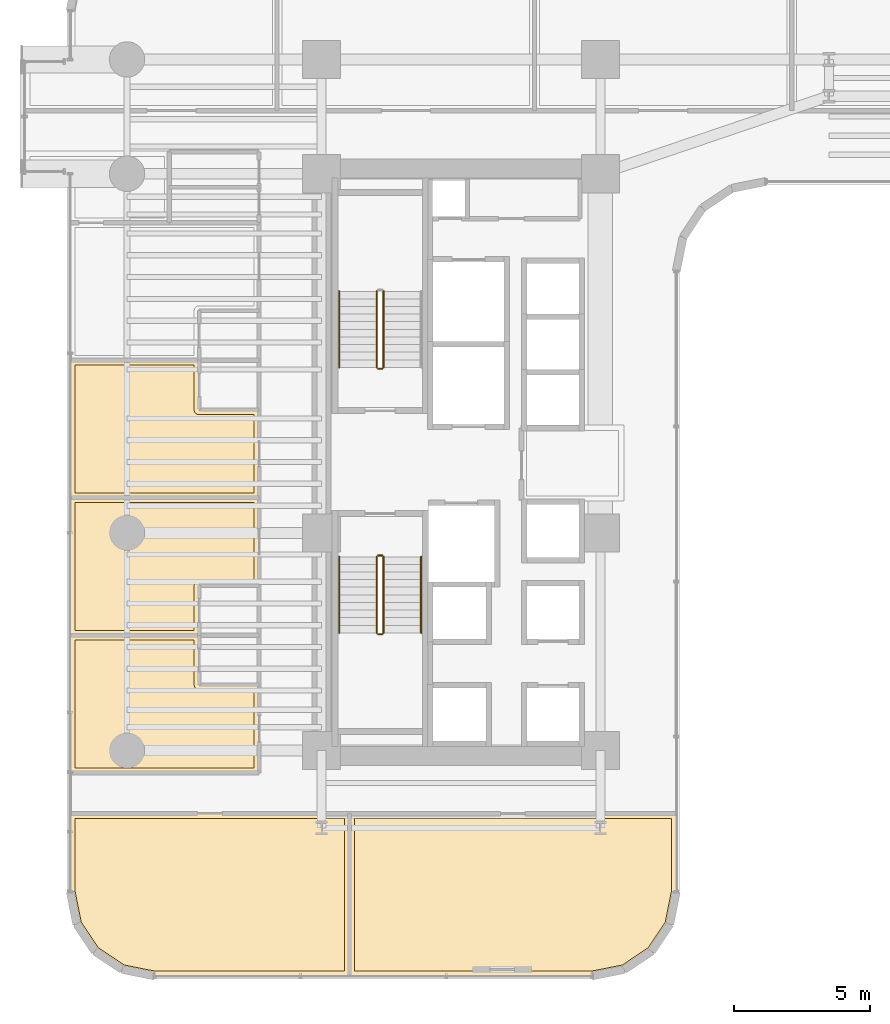
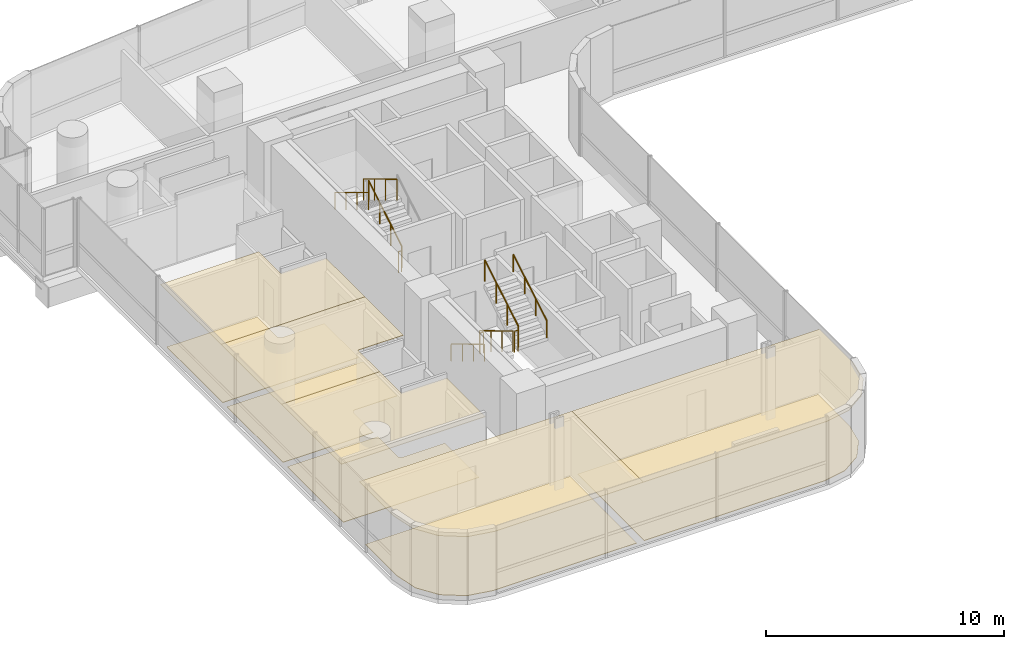
# One storey, part 37 of 40: 10 coverings, 10 railings.
"""IFC4 building model written with IfcOpenShell, lengths in metres."""

from ifc_helpers import new_model, si_unit, direction, frame, origin, origin_2d, place, context, subcontext, project, spatial, polyline, circle, outline, extrude, material, layer, layer_set, type_object, element, save


model = new_model("IFC4")

# Units and contexts
model_context = context("Model", 3, precision=1e-05, world=origin(), true_north=direction((0.0, 1.0)))
body_context = subcontext(model_context, "Body", "Model", "MODEL_VIEW")
ifc_project = project(units=[si_unit("LENGTHUNIT", "METRE"), si_unit("AREAUNIT", "SQUARE_METRE"), si_unit("VOLUMEUNIT", "CUBIC_METRE"), si_unit("PLANEANGLEUNIT", "RADIAN"), si_unit("MASSUNIT", "GRAM", prefix="KILO")], contexts=[model_context])

# Site, building, storey
site_placement = place(None, origin())
site = spatial("IfcSite", under=ifc_project, at=site_placement, CompositionType="ELEMENT")
building_placement = place(site_placement, origin())
building = spatial("IfcBuilding", under=site, at=building_placement, Name="Valdorenza Pilgrim Sanctuary Tower", CompositionType="ELEMENT")
storey_placement = place(building_placement, frame((0.0, 0.0, 81.5)))
storey = spatial("IfcBuildingStorey", under=building, at=storey_placement, Name="L20", CompositionType="ELEMENT", Elevation=81.5)

# Coverings
ifc_material_1 = material(Name="Micro-perforated acoustic mineral ceiling tile", Category="gypsum")
ifc_layer_1 = layer(ifc_material_1, 0.02490234375, Name="Micro-perforated acoustic mineral ceiling tile")
ifc_layer_set_1 = layer_set([ifc_layer_1], Name="Micro-perforated acoustic mineral ceiling tile")
covering_type_1 = type_object("IfcCoveringType", Name="COV-CLG-ACU", PredefinedType="CEILING", material=ifc_layer_set_1)
covering_1_placement = place(storey_placement, frame((0.0, 0.0, 3.159912109375)))
element("IfcCovering", 1, at=covering_1_placement, inside=storey, type_object=covering_type_1, Name="L20 Pilgrim Guest Room L20-W1 Acoustic Ceiling", PredefinedType="CEILING", context=body_context, shape_type="SweptSolid", body=[
    extrude(outline(polyline([(-31.905029296875, -6.364990234375), (-31.90478515625, -6.363525390625), (-31.90478515625, -6.362060546875), (-31.904296875, -6.360595703125), (-31.90380859375, -6.359375), (-31.9033203125, -6.35791015625), (-31.902587890625, -6.356689453125), (-31.901611328125, -6.35546875), (-31.900634765625, -6.3544921875), (-31.8994140625, -6.353515625), (-31.898193359375, -6.3525390625), (-31.897216796875, -6.351806640625), (-31.895751953125, -6.35107421875), (-31.894287109375, -6.3505859375), (-31.892822265625, -6.350341796875), (-31.8916015625, -6.35009765625), (-31.889892578125, -6.35009765625), (-27.152099609375, -6.35009765625), (-27.150390625, -6.35009765625), (-27.149169921875, -6.350341796875), (-27.147705078125, -6.3505859375), (-27.146240234375, -6.35107421875), (-27.14501953125, -6.351806640625), (-27.143798828125, -6.3525390625), (-27.142578125, -6.353515625), (-27.141357421875, -6.3544921875), (-27.140380859375, -6.35546875), (-27.139404296875, -6.356689453125), (-27.138916015625, -6.35791015625), (-27.13818359375, -6.359375), (-27.1376953125, -6.360595703125), (-27.13720703125, -6.362060546875), (-27.13720703125, -6.363525390625), (-27.136962890625, -6.364990234375), (-27.136962890625, -8.172119140625), (-24.949951171875, -8.172119140625), (-24.948486328125, -8.172119140625), (-24.947021484375, -8.17236328125), (-24.945556640625, -8.172607421875), (-24.9443359375, -8.173095703125), (-24.94287109375, -8.173828125), (-24.941650390625, -8.174560546875), (-24.9404296875, -8.17529296875), (-24.939453125, -8.176513671875), (-24.9384765625, -8.177490234375), (-24.9375, -8.1787109375), (-24.936767578125, -8.179931640625), (-24.93603515625, -8.181396484375), (-24.935546875, -8.1826171875), (-24.935302734375, -8.18408203125), (-24.93505859375, -8.185546875), (-24.93505859375, -8.18701171875), (-24.93505859375, -11.419921875), (-24.93505859375, -11.42138671875), (-24.935302734375, -11.4228515625), (-24.935546875, -11.42431640625), (-24.93603515625, -11.42578125), (-24.936767578125, -11.427001953125), (-24.9375, -11.42822265625), (-24.9384765625, -11.429443359375), (-24.939453125, -11.4306640625), (-24.9404296875, -11.431640625), (-24.941650390625, -11.4326171875), (-24.94287109375, -11.43310546875), (-24.9443359375, -11.433837890625), (-24.945556640625, -11.434326171875), (-24.947021484375, -11.434814453125), (-24.948486328125, -11.434814453125), (-24.949951171875, -11.43505859375), (-31.889892578125, -11.43505859375), (-31.8916015625, -11.434814453125), (-31.892822265625, -11.434814453125), (-31.894287109375, -11.434326171875), (-31.895751953125, -11.433837890625), (-31.897216796875, -11.43310546875), (-31.898193359375, -11.4326171875), (-31.8994140625, -11.431640625), (-31.900634765625, -11.4306640625), (-31.901611328125, -11.429443359375), (-31.902587890625, -11.42822265625), (-31.9033203125, -11.427001953125), (-31.90380859375, -11.42578125), (-31.904296875, -11.42431640625), (-31.90478515625, -11.4228515625), (-31.90478515625, -11.42138671875), (-31.905029296875, -11.419921875), (-31.905029296875, -6.364990234375)])), origin(), (0.0, 0.0, 1.0), 0.025146484375),
])
covering_2_placement = place(storey_placement, frame((0.0, 0.0, 3.159912109375)))
element("IfcCovering", 2, at=covering_2_placement, inside=storey, type_object=covering_type_1, Name="L20 Pilgrim Guest Room L20-W2 Acoustic Ceiling", PredefinedType="CEILING", context=body_context, shape_type="SweptSolid", body=[
    extrude(outline(polyline([(-27.136962890625, -4.55810546875), (-27.136962890625, -6.363037109375), (-27.13720703125, -6.364501953125), (-27.13720703125, -6.365966796875), (-27.1376953125, -6.367431640625), (-27.13818359375, -6.36865234375), (-27.138916015625, -6.3701171875), (-27.139404296875, -6.371337890625), (-27.140380859375, -6.37255859375), (-27.141357421875, -6.37353515625), (-27.142578125, -6.37451171875), (-27.143798828125, -6.37548828125), (-27.14501953125, -6.376220703125), (-27.146240234375, -6.376953125), (-27.147705078125, -6.37744140625), (-27.149169921875, -6.377685546875), (-27.150390625, -6.3779296875), (-27.152099609375, -6.3779296875), (-31.889892578125, -6.3779296875), (-31.8916015625, -6.3779296875), (-31.892822265625, -6.377685546875), (-31.894287109375, -6.37744140625), (-31.895751953125, -6.376953125), (-31.897216796875, -6.376220703125), (-31.898193359375, -6.37548828125), (-31.8994140625, -6.37451171875), (-31.900634765625, -6.37353515625), (-31.901611328125, -6.37255859375), (-31.902587890625, -6.371337890625), (-31.9033203125, -6.3701171875), (-31.90380859375, -6.36865234375), (-31.904296875, -6.367431640625), (-31.90478515625, -6.365966796875), (-31.90478515625, -6.364501953125), (-31.905029296875, -6.363037109375), (-31.905029296875, -1.31005859375), (-31.90478515625, -1.30859375), (-31.90478515625, -1.30712890625), (-31.904296875, -1.3056640625), (-31.90380859375, -1.30419921875), (-31.9033203125, -1.302978515625), (-31.902587890625, -1.3017578125), (-31.901611328125, -1.300537109375), (-31.900634765625, -1.29931640625), (-31.8994140625, -1.29833984375), (-31.898193359375, -1.297607421875), (-31.897216796875, -1.296875), (-31.895751953125, -1.296142578125), (-31.894287109375, -1.295654296875), (-31.892822265625, -1.29541015625), (-31.8916015625, -1.295166015625), (-31.889892578125, -1.294921875), (-24.949951171875, -1.294921875), (-24.948486328125, -1.295166015625), (-24.947021484375, -1.29541015625), (-24.945556640625, -1.295654296875), (-24.9443359375, -1.296142578125), (-24.94287109375, -1.296875), (-24.941650390625, -1.297607421875), (-24.9404296875, -1.29833984375), (-24.939453125, -1.29931640625), (-24.9384765625, -1.300537109375), (-24.9375, -1.3017578125), (-24.936767578125, -1.302978515625), (-24.93603515625, -1.30419921875), (-24.935546875, -1.3056640625), (-24.935302734375, -1.30712890625), (-24.93505859375, -1.30859375), (-24.93505859375, -1.31005859375), (-24.93505859375, -4.54296875), (-24.93505859375, -4.54443359375), (-24.935302734375, -4.5458984375), (-24.935546875, -4.54736328125), (-24.93603515625, -4.548583984375), (-24.936767578125, -4.550048828125), (-24.9375, -4.55126953125), (-24.9384765625, -4.552490234375), (-24.939453125, -4.5537109375), (-24.9404296875, -4.5546875), (-24.941650390625, -4.555419921875), (-24.94287109375, -4.55615234375), (-24.9443359375, -4.556884765625), (-24.945556640625, -4.557373046875), (-24.947021484375, -4.5576171875), (-24.948486328125, -4.557861328125), (-24.949951171875, -4.55810546875), (-27.136962890625, -4.55810546875)])), origin(), (0.0, 0.0, 1.0), 0.025146484375),
])
covering_3_placement = place(storey_placement, frame((0.0, 0.0, 3.159912109375)))
element("IfcCovering", 3, at=covering_3_placement, inside=storey, type_object=covering_type_1, Name="L20 Pilgrim Guest Room L20-W3 Acoustic Ceiling", PredefinedType="CEILING", context=body_context, shape_type="SweptSolid", body=[
    extrude(outline(polyline([(-31.905029296875, 3.7451171875), (-31.90478515625, 3.74658203125), (-31.90478515625, 3.747802734375), (-31.904296875, 3.74951171875), (-31.90380859375, 3.750732421875), (-31.9033203125, 3.752197265625), (-31.902587890625, 3.75341796875), (-31.901611328125, 3.75439453125), (-31.900634765625, 3.755615234375), (-31.8994140625, 3.756591796875), (-31.898193359375, 3.757568359375), (-31.897216796875, 3.75830078125), (-31.895751953125, 3.7587890625), (-31.894287109375, 3.759521484375), (-31.892822265625, 3.759765625), (-31.8916015625, 3.760009765625), (-31.889892578125, 3.760009765625), (-27.152099609375, 3.760009765625), (-27.150390625, 3.760009765625), (-27.149169921875, 3.759765625), (-27.147705078125, 3.759521484375), (-27.146240234375, 3.7587890625), (-27.14501953125, 3.75830078125), (-27.143798828125, 3.757568359375), (-27.142578125, 3.756591796875), (-27.141357421875, 3.755615234375), (-27.140380859375, 3.75439453125), (-27.139404296875, 3.75341796875), (-27.138916015625, 3.752197265625), (-27.13818359375, 3.750732421875), (-27.1376953125, 3.74951171875), (-27.13720703125, 3.747802734375), (-27.13720703125, 3.74658203125), (-27.136962890625, 3.7451171875), (-27.136962890625, 1.93798828125), (-24.949951171875, 1.93798828125), (-24.948486328125, 1.93798828125), (-24.947021484375, 1.937744140625), (-24.945556640625, 1.9375), (-24.9443359375, 1.93701171875), (-24.94287109375, 1.936279296875), (-24.941650390625, 1.935546875), (-24.9404296875, 1.9345703125), (-24.939453125, 1.93359375), (-24.9384765625, 1.9326171875), (-24.9375, 1.931396484375), (-24.936767578125, 1.93017578125), (-24.93603515625, 1.9287109375), (-24.935546875, 1.927490234375), (-24.935302734375, 1.92578125), (-24.93505859375, 1.924560546875), (-24.93505859375, 1.923095703125), (-24.93505859375, -1.30810546875), (-24.93505859375, -1.3095703125), (-24.935302734375, -1.310791015625), (-24.935546875, -1.3125), (-24.93603515625, -1.313720703125), (-24.936767578125, -1.315185546875), (-24.9375, -1.31640625), (-24.9384765625, -1.3173828125), (-24.939453125, -1.318603515625), (-24.9404296875, -1.319580078125), (-24.941650390625, -1.320556640625), (-24.94287109375, -1.3212890625), (-24.9443359375, -1.322021484375), (-24.945556640625, -1.322509765625), (-24.947021484375, -1.32275390625), (-24.948486328125, -1.322998046875), (-24.949951171875, -1.322998046875), (-31.889892578125, -1.322998046875), (-31.8916015625, -1.322998046875), (-31.892822265625, -1.32275390625), (-31.894287109375, -1.322509765625), (-31.895751953125, -1.322021484375), (-31.897216796875, -1.3212890625), (-31.898193359375, -1.320556640625), (-31.8994140625, -1.319580078125), (-31.900634765625, -1.318603515625), (-31.901611328125, -1.3173828125), (-31.902587890625, -1.31640625), (-31.9033203125, -1.315185546875), (-31.90380859375, -1.313720703125), (-31.904296875, -1.3125), (-31.90478515625, -1.310791015625), (-31.90478515625, -1.3095703125), (-31.905029296875, -1.30810546875), (-31.905029296875, 3.7451171875)])), origin(), (0.0, 0.0, 1.0), 0.025146484375),
])
covering_4_placement = place(storey_placement, frame((0.0, 0.0, 3.159912109375)))
element("IfcCovering", 4, at=covering_4_placement, inside=storey, type_object=covering_type_1, Name="L20 Retreat Discussion Room L20-S1 Acoustic Ceiling", PredefinedType="CEILING", context=body_context, shape_type="SweptSolid", body=[
    extrude(outline(polyline([(-21.60498046875, -18.889892578125), (-21.60498046875, -18.8916015625), (-21.605224609375, -18.892822265625), (-21.605712890625, -18.894287109375), (-21.606201171875, -18.895751953125), (-21.606689453125, -18.897216796875), (-21.607421875, -18.898193359375), (-21.6083984375, -18.8994140625), (-21.609375, -18.900634765625), (-21.610595703125, -18.901611328125), (-21.61181640625, -18.902587890625), (-21.61279296875, -18.9033203125), (-21.6142578125, -18.90380859375), (-21.615478515625, -18.904296875), (-21.6171875, -18.90478515625), (-21.618408203125, -18.90478515625), (-21.6201171875, -18.905029296875), (-28.789306640625, -18.905029296875), (-28.79052734375, -18.90478515625), (-28.7919921875, -18.90478515625), (-29.984619140625, -18.66748046875), (-29.986083984375, -18.6669921875), (-29.9873046875, -18.66650390625), (-29.98876953125, -18.666015625), (-29.989990234375, -18.665283203125), (-30.99169921875, -17.995849609375), (-30.992919921875, -17.9951171875), (-30.993896484375, -17.993896484375), (-30.9951171875, -17.992919921875), (-30.995849609375, -17.99169921875), (-31.665283203125, -16.989990234375), (-31.666015625, -16.98876953125), (-31.66650390625, -16.9873046875), (-31.6669921875, -16.986083984375), (-31.66748046875, -16.984619140625), (-31.90478515625, -15.7919921875), (-31.90478515625, -15.79052734375), (-31.905029296875, -15.789306640625), (-31.905029296875, -12.919921875), (-31.90478515625, -12.91845703125), (-31.90478515625, -12.9169921875), (-31.904296875, -12.91552734375), (-31.90380859375, -12.914306640625), (-31.9033203125, -12.912841796875), (-31.902587890625, -12.91162109375), (-31.901611328125, -12.910400390625), (-31.900634765625, -12.909423828125), (-31.8994140625, -12.908447265625), (-31.898193359375, -12.907470703125), (-31.897216796875, -12.90673828125), (-31.895751953125, -12.906005859375), (-31.894287109375, -12.905517578125), (-31.892822265625, -12.9052734375), (-31.8916015625, -12.905029296875), (-31.889892578125, -12.905029296875), (-21.6201171875, -12.905029296875), (-21.618408203125, -12.905029296875), (-21.6171875, -12.9052734375), (-21.615478515625, -12.905517578125), (-21.6142578125, -12.906005859375), (-21.61279296875, -12.90673828125), (-21.61181640625, -12.907470703125), (-21.610595703125, -12.908447265625), (-21.609375, -12.909423828125), (-21.6083984375, -12.910400390625), (-21.607421875, -12.91162109375), (-21.606689453125, -12.912841796875), (-21.606201171875, -12.914306640625), (-21.605712890625, -12.91552734375), (-21.605224609375, -12.9169921875), (-21.60498046875, -12.91845703125), (-21.60498046875, -12.919921875), (-21.60498046875, -18.889892578125)])), origin(), (0.0, 0.0, 1.0), 0.025146484375),
])
covering_5_placement = place(storey_placement, frame((0.0, 0.0, 3.159912109375)))
element("IfcCovering", 5, at=covering_5_placement, inside=storey, type_object=covering_type_1, Name="L20 Retreat Discussion Room L20-S2 Acoustic Ceiling", PredefinedType="CEILING", context=body_context, shape_type="SweptSolid", body=[
    extrude(outline(polyline([(-9.610107421875, -12.905029296875), (-9.6083984375, -12.905029296875), (-9.607177734375, -12.9052734375), (-9.605712890625, -12.905517578125), (-9.604248046875, -12.906005859375), (-9.602783203125, -12.90673828125), (-9.601806640625, -12.907470703125), (-9.6005859375, -12.908447265625), (-9.599365234375, -12.909423828125), (-9.598388671875, -12.910400390625), (-9.597412109375, -12.91162109375), (-9.5966796875, -12.912841796875), (-9.59619140625, -12.914306640625), (-9.595703125, -12.91552734375), (-9.59521484375, -12.9169921875), (-9.59521484375, -12.91845703125), (-9.594970703125, -12.919921875), (-9.594970703125, -15.789306640625), (-9.59521484375, -15.79052734375), (-9.59521484375, -15.7919921875), (-9.83251953125, -16.984619140625), (-9.8330078125, -16.986083984375), (-9.83349609375, -16.9873046875), (-9.833984375, -16.98876953125), (-9.834716796875, -16.989990234375), (-10.504150390625, -17.99169921875), (-10.5048828125, -17.992919921875), (-10.506103515625, -17.993896484375), (-10.507080078125, -17.9951171875), (-10.50830078125, -17.995849609375), (-11.510009765625, -18.665283203125), (-11.51123046875, -18.666015625), (-11.5126953125, -18.66650390625), (-11.513916015625, -18.6669921875), (-11.515380859375, -18.66748046875), (-12.7080078125, -18.90478515625), (-12.70947265625, -18.90478515625), (-12.710693359375, -18.905029296875), (-21.617919921875, -18.905029296875), (-21.619384765625, -18.90478515625), (-21.620849609375, -18.90478515625), (-21.622314453125, -18.904296875), (-21.623779296875, -18.90380859375), (-21.625, -18.9033203125), (-21.626220703125, -18.902587890625), (-21.62744140625, -18.901611328125), (-21.628662109375, -18.900634765625), (-21.629638671875, -18.8994140625), (-21.630615234375, -18.898193359375), (-21.631103515625, -18.897216796875), (-21.6318359375, -18.895751953125), (-21.63232421875, -18.894287109375), (-21.6328125, -18.892822265625), (-21.6328125, -18.8916015625), (-21.633056640625, -18.889892578125), (-21.633056640625, -12.919921875), (-21.6328125, -12.91845703125), (-21.6328125, -12.9169921875), (-21.63232421875, -12.91552734375), (-21.6318359375, -12.914306640625), (-21.631103515625, -12.912841796875), (-21.630615234375, -12.91162109375), (-21.629638671875, -12.910400390625), (-21.628662109375, -12.909423828125), (-21.62744140625, -12.908447265625), (-21.626220703125, -12.907470703125), (-21.625, -12.90673828125), (-21.623779296875, -12.906005859375), (-21.622314453125, -12.905517578125), (-21.620849609375, -12.9052734375), (-21.619384765625, -12.905029296875), (-21.617919921875, -12.905029296875), (-9.610107421875, -12.905029296875)])), origin(), (0.0, 0.0, 1.0), 0.025146484375),
])
ifc_material_2 = material(Name="Engineered European oak timber flooring", Category="wood")
ifc_layer_2 = layer(ifc_material_2, 0.02197265625, Name="Engineered European oak timber flooring")
ifc_layer_set_2 = layer_set([ifc_layer_2], Name="Engineered European oak timber flooring")
covering_type_2 = type_object("IfcCoveringType", Name="COV-FLR-OAK", PredefinedType="FLOORING", material=ifc_layer_set_2)
covering_6_placement = place(storey_placement, origin())
element("IfcCovering", 6, at=covering_6_placement, inside=storey, type_object=covering_type_2, Name="L20 Pilgrim Guest Room L20-W1 Flooring", PredefinedType="FLOORING", context=body_context, shape_type="SweptSolid", body=[
    extrude(outline(polyline([(-31.7099609375, -6.544921875), (-27.33203125, -6.544921875), (-27.33203125, -8.18505859375), (-27.331787109375, -8.19384765625), (-27.331787109375, -8.194091796875), (-27.330078125, -8.211669921875), (-27.330078125, -8.2119140625), (-27.32666015625, -8.22900390625), (-27.326416015625, -8.229248046875), (-27.3212890625, -8.24609375), (-27.3212890625, -8.246337890625), (-27.314697265625, -8.2626953125), (-27.314453125, -8.262939453125), (-27.30615234375, -8.278564453125), (-27.30615234375, -8.278564453125), (-27.296142578125, -8.293212890625), (-27.296142578125, -8.29345703125), (-27.284912109375, -8.30712890625), (-27.284912109375, -8.307373046875), (-27.272216796875, -8.31982421875), (-27.272216796875, -8.31982421875), (-27.258544921875, -8.3310546875), (-27.25830078125, -8.331298828125), (-27.24365234375, -8.341064453125), (-27.243408203125, -8.34130859375), (-27.227783203125, -8.349609375), (-27.227783203125, -8.349609375), (-27.21142578125, -8.356201171875), (-27.211181640625, -8.3564453125), (-27.1943359375, -8.361572265625), (-27.194091796875, -8.361572265625), (-27.1767578125, -8.364990234375), (-27.176513671875, -8.364990234375), (-27.158935546875, -8.36669921875), (-27.15869140625, -8.36669921875), (-27.14990234375, -8.366943359375), (-25.1298828125, -8.366943359375), (-25.1298828125, -11.239990234375), (-31.7099609375, -11.239990234375), (-31.7099609375, -6.544921875)])), origin(), (0.0, 0.0, 1.0), 0.02490234375),
])
covering_7_placement = place(storey_placement, origin())
element("IfcCovering", 7, at=covering_7_placement, inside=storey, type_object=covering_type_2, Name="L20 Pilgrim Guest Room L20-W2 Flooring", PredefinedType="FLOORING", context=body_context, shape_type="SweptSolid", body=[
    extrude(outline(polyline([(-25.1298828125, -1.489990234375), (-25.1298828125, -4.363037109375), (-27.14990234375, -4.363037109375), (-27.15869140625, -4.36328125), (-27.158935546875, -4.36328125), (-27.176513671875, -4.364990234375), (-27.1767578125, -4.364990234375), (-27.194091796875, -4.368408203125), (-27.1943359375, -4.368408203125), (-27.211181640625, -4.37353515625), (-27.21142578125, -4.373779296875), (-27.227783203125, -4.38037109375), (-27.227783203125, -4.380615234375), (-27.243408203125, -4.388916015625), (-27.24365234375, -4.388916015625), (-27.25830078125, -4.398681640625), (-27.258544921875, -4.39892578125), (-27.272216796875, -4.41015625), (-27.272216796875, -4.41015625), (-27.284912109375, -4.422607421875), (-27.284912109375, -4.4228515625), (-27.296142578125, -4.4365234375), (-27.296142578125, -4.436767578125), (-27.30615234375, -4.451416015625), (-27.30615234375, -4.451416015625), (-27.314453125, -4.467041015625), (-27.314697265625, -4.46728515625), (-27.3212890625, -4.483642578125), (-27.3212890625, -4.48388671875), (-27.326416015625, -4.500732421875), (-27.32666015625, -4.5009765625), (-27.330078125, -4.518310546875), (-27.330078125, -4.518310546875), (-27.331787109375, -4.535888671875), (-27.331787109375, -4.5361328125), (-27.33203125, -4.544921875), (-27.33203125, -6.18310546875), (-31.7099609375, -6.18310546875), (-31.7099609375, -1.489990234375), (-25.1298828125, -1.489990234375)])), origin(), (0.0, 0.0, 1.0), 0.02490234375),
])
covering_8_placement = place(storey_placement, origin())
element("IfcCovering", 8, at=covering_8_placement, inside=storey, type_object=covering_type_2, Name="L20 Pilgrim Guest Room L20-W3 Flooring", PredefinedType="FLOORING", context=body_context, shape_type="SweptSolid", body=[
    extrude(outline(polyline([(-31.7099609375, 3.56494140625), (-27.33203125, 3.56494140625), (-27.33203125, 1.925048828125), (-27.331787109375, 1.916259765625), (-27.331787109375, 1.916015625), (-27.330078125, 1.8984375), (-27.330078125, 1.898193359375), (-27.32666015625, 1.880859375), (-27.326416015625, 1.880615234375), (-27.3212890625, 1.86376953125), (-27.3212890625, 1.863525390625), (-27.314697265625, 1.847412109375), (-27.314453125, 1.84716796875), (-27.30615234375, 1.83154296875), (-27.30615234375, 1.831298828125), (-27.296142578125, 1.816650390625), (-27.296142578125, 1.81640625), (-27.284912109375, 1.802978515625), (-27.284912109375, 1.802734375), (-27.272216796875, 1.790283203125), (-27.272216796875, 1.7900390625), (-27.258544921875, 1.77880859375), (-27.25830078125, 1.77880859375), (-27.24365234375, 1.768798828125), (-27.243408203125, 1.768798828125), (-27.227783203125, 1.760498046875), (-27.227783203125, 1.760498046875), (-27.21142578125, 1.753662109375), (-27.211181640625, 1.753662109375), (-27.1943359375, 1.74853515625), (-27.194091796875, 1.748291015625), (-27.1767578125, 1.7451171875), (-27.176513671875, 1.7451171875), (-27.158935546875, 1.7431640625), (-27.15869140625, 1.7431640625), (-27.14990234375, 1.742919921875), (-25.1298828125, 1.742919921875), (-25.1298828125, -1.1279296875), (-31.7099609375, -1.1279296875), (-31.7099609375, 3.56494140625)])), origin(), (0.0, 0.0, 1.0), 0.02490234375),
])
covering_9_placement = place(storey_placement, origin())
element("IfcCovering", 9, at=covering_9_placement, inside=storey, type_object=covering_type_2, Name="L20 Retreat Discussion Room L20-S1 Flooring", PredefinedType="FLOORING", context=body_context, shape_type="SweptSolid", body=[
    extrude(outline(polyline([(-21.800048828125, -18.7099609375), (-28.771484375, -18.7099609375), (-29.911376953125, -18.483154296875), (-30.853515625, -17.853515625), (-31.483154296875, -16.911376953125), (-31.7099609375, -15.771484375), (-31.7099609375, -13.10009765625), (-21.800048828125, -13.10009765625), (-21.800048828125, -18.7099609375)])), origin(), (0.0, 0.0, 1.0), 0.02490234375),
])
covering_10_placement = place(storey_placement, origin())
element("IfcCovering", 10, at=covering_10_placement, inside=storey, type_object=covering_type_2, Name="L20 Retreat Discussion Room L20-S2 Flooring", PredefinedType="FLOORING", context=body_context, shape_type="SweptSolid", body=[
    extrude(outline(polyline([(-9.7900390625, -13.10009765625), (-9.7900390625, -15.771484375), (-10.016845703125, -16.911376953125), (-10.646484375, -17.853515625), (-11.588623046875, -18.483154296875), (-12.728515625, -18.7099609375), (-21.43798828125, -18.7099609375), (-21.43798828125, -13.10009765625), (-9.7900390625, -13.10009765625)])), origin(), (0.0, 0.0, 1.0), 0.02490234375),
])

# Railings
ifc_material_3 = material(Name="Stainless steel Grade 316", Category="steel")
railing_type_1 = type_object("IfcRailingType", Name="RLG-GRD-1120", PredefinedType="GUARDRAIL", material=ifc_material_3)
railing_1_placement = place(storey_placement, frame((-20.3701171875, 3.47998046875, 0.168212890625)))
element("IfcRailing", 11, at=railing_1_placement, inside=storey, type_object=railing_type_1, Name="L20 ST-A1 stair guard 1", PredefinedType="GUARDRAIL", context=body_context, shape_type="SweptSolid", body=[
    extrude(circle(Radius=0.02392578125, at=origin_2d()), frame((0.0, 0.0, 1.076171875), z_axis=(0.0, 0.857242210791, 0.514913383045), x_axis=(-1.0, 0.0, 0.0)), (0.0, 0.0, 1.0), 3.266357421875),
    extrude(circle(Radius=0.02099609375, at=origin_2d()), origin(), (0.0, 0.0, 1.0), 1.052001953125),
    extrude(circle(Radius=0.02099609375, at=origin_2d()), frame((0.0, 0.933349609375, 0.560546875)), (0.0, 0.0, 1.0), 1.052001953125),
    extrude(circle(Radius=0.02099609375, at=origin_2d()), frame((0.0, 1.86669921875, 1.121337890625)), (0.0, 0.0, 1.0), 1.052001953125),
    extrude(circle(Radius=0.02099609375, at=origin_2d()), frame((0.0, 2.800048828125, 1.681884765625)), (0.0, 0.0, 1.0), 1.052001953125),
])
railing_2_placement = place(storey_placement, frame((-20.6201171875, 6.280029296875, 2.01806640625)))
element("IfcRailing", 12, at=railing_2_placement, inside=storey, type_object=railing_type_1, Name="L20 ST-A1 stair guard 3", PredefinedType="GUARDRAIL", context=body_context, shape_type="SweptSolid", body=[
    extrude(circle(Radius=0.02392578125, at=origin_2d()), frame((0.0, 0.0, 1.076171875), z_axis=(0.0, -0.857242210791, 0.514913383045), x_axis=(1.0, 0.0, 0.0)), (0.0, 0.0, 1.0), 3.266357421875),
    extrude(circle(Radius=0.02099609375, at=origin_2d()), origin(), (0.0, 0.0, 1.0), 1.052001953125),
    extrude(circle(Radius=0.02099609375, at=origin_2d()), frame((0.0, -0.933349609375, 0.560546875)), (0.0, 0.0, 1.0), 1.052001953125),
    extrude(circle(Radius=0.02099609375, at=origin_2d()), frame((0.0, -1.86669921875, 1.121337890625)), (0.0, 0.0, 1.0), 1.052001953125),
    extrude(circle(Radius=0.02099609375, at=origin_2d()), frame((0.0, -2.800048828125, 1.681884765625)), (0.0, 0.0, 1.0), 1.052001953125),
])
railing_3_placement = place(storey_placement, frame((-20.419921875, 3.429931640625, 0.0)))
element("IfcRailing", 13, at=railing_3_placement, inside=storey, type_object=railing_type_1, Name="L20 ST-A1 stair guard 4", PredefinedType="GUARDRAIL", context=body_context, shape_type="SweptSolid", body=[
    extrude(circle(Radius=0.02392578125, at=origin_2d()), frame((0.0, 0.0, 1.076171875), z_axis=(-1.0, 0.0, 0.0), x_axis=(0.0, -1.0, 0.0)), (0.0, 0.0, 1.0), 0.150146484375),
    extrude(circle(Radius=0.02099609375, at=origin_2d()), origin(), (0.0, 0.0, 1.0), 1.052001953125),
    extrude(circle(Radius=0.02099609375, at=origin_2d()), frame((-0.150146484375, 0.0, 0.0)), (0.0, 0.0, 1.0), 1.052001953125),
])
railing_4_placement = place(storey_placement, frame((-20.6201171875, -3.47998046875, 0.168212890625)))
element("IfcRailing", 14, at=railing_4_placement, inside=storey, type_object=railing_type_1, Name="L20 ST-A2 stair guard 1", PredefinedType="GUARDRAIL", context=body_context, shape_type="SweptSolid", body=[
    extrude(circle(Radius=0.02392578125, at=origin_2d()), frame((0.0, 0.0, 1.076171875), z_axis=(0.0, -0.857242210791, 0.514913383045), x_axis=(1.0, 0.0, 0.0)), (0.0, 0.0, 1.0), 3.266357421875),
    extrude(circle(Radius=0.02099609375, at=origin_2d()), origin(), (0.0, 0.0, 1.0), 1.052001953125),
    extrude(circle(Radius=0.02099609375, at=origin_2d()), frame((0.0, -0.933349609375, 0.560546875)), (0.0, 0.0, 1.0), 1.052001953125),
    extrude(circle(Radius=0.02099609375, at=origin_2d()), frame((0.0, -1.86669921875, 1.121337890625)), (0.0, 0.0, 1.0), 1.052001953125),
    extrude(circle(Radius=0.02099609375, at=origin_2d()), frame((0.0, -2.800048828125, 1.681884765625)), (0.0, 0.0, 1.0), 1.052001953125),
])
railing_5_placement = place(storey_placement, frame((-20.570068359375, -6.330078125, 1.85009765625)))
element("IfcRailing", 15, at=railing_5_placement, inside=storey, type_object=railing_type_1, Name="L20 ST-A2 stair guard 2", PredefinedType="GUARDRAIL", context=body_context, shape_type="SweptSolid", body=[
    extrude(circle(Radius=0.02392578125, at=origin_2d()), frame((0.0, 0.0, 1.076171875), z_axis=(1.0, 0.0, 0.0), x_axis=(0.0, 1.0, 0.0)), (0.0, 0.0, 1.0), 0.150146484375),
    extrude(circle(Radius=0.02099609375, at=origin_2d()), origin(), (0.0, 0.0, 1.0), 1.052001953125),
    extrude(circle(Radius=0.02099609375, at=origin_2d()), frame((0.150146484375, 0.0, 0.0)), (0.0, 0.0, 1.0), 1.052001953125),
])
railing_6_placement = place(storey_placement, frame((-20.3701171875, -6.280029296875, 2.01806640625)))
element("IfcRailing", 16, at=railing_6_placement, inside=storey, type_object=railing_type_1, Name="L20 ST-A2 stair guard 3", PredefinedType="GUARDRAIL", context=body_context, shape_type="SweptSolid", body=[
    extrude(circle(Radius=0.02392578125, at=origin_2d()), frame((0.0, 0.0, 1.076171875), z_axis=(0.0, 0.857242210791, 0.514913383045), x_axis=(-1.0, 0.0, 0.0)), (0.0, 0.0, 1.0), 3.266357421875),
    extrude(circle(Radius=0.02099609375, at=origin_2d()), origin(), (0.0, 0.0, 1.0), 1.052001953125),
    extrude(circle(Radius=0.02099609375, at=origin_2d()), frame((0.0, 0.933349609375, 0.560546875)), (0.0, 0.0, 1.0), 1.052001953125),
    extrude(circle(Radius=0.02099609375, at=origin_2d()), frame((0.0, 1.86669921875, 1.121337890625)), (0.0, 0.0, 1.0), 1.052001953125),
    extrude(circle(Radius=0.02099609375, at=origin_2d()), frame((0.0, 2.800048828125, 1.681884765625)), (0.0, 0.0, 1.0), 1.052001953125),
])
railing_7_placement = place(storey_placement, frame((-20.570068359375, -3.429931640625, 0.0)))
element("IfcRailing", 17, at=railing_7_placement, inside=storey, type_object=railing_type_1, Name="L20 ST-A2 stair guard 4", PredefinedType="GUARDRAIL", context=body_context, shape_type="SweptSolid", body=[
    extrude(circle(Radius=0.02392578125, at=origin_2d()), frame((0.0, 0.0, 1.076171875), z_axis=(1.0, 0.0, 0.0), x_axis=(0.0, 1.0, 0.0)), (0.0, 0.0, 1.0), 0.150146484375),
    extrude(circle(Radius=0.02099609375, at=origin_2d()), origin(), (0.0, 0.0, 1.0), 1.052001953125),
    extrude(circle(Radius=0.02099609375, at=origin_2d()), frame((0.150146484375, 0.0, 0.0)), (0.0, 0.0, 1.0), 1.052001953125),
])
ifc_material_4 = material(Name="Brushed stainless steel Grade 316", Category="steel")
railing_type_2 = type_object("IfcRailingType", Name="RLG-HND-920", PredefinedType="HANDRAIL", material=ifc_material_4)
for number, where, name in (
    (18, (-22.0, 6.280029296875, 2.01806640625), "L20 ST-A1 stair handrail 2"),
    (19, (-22.0, -3.47998046875, 0.168212890625), "L20 ST-A2 stair handrail 1"),
):
    element("IfcRailing", number, at=place(storey_placement, frame(where)), inside=storey, type_object=railing_type_2, Name=name, PredefinedType="HANDRAIL", context=body_context, shape_type="SweptSolid", body=[
        extrude(circle(Radius=0.02392578125, at=origin_2d()), frame((0.0, 0.0, 0.8759765625), z_axis=(0.0, -0.857242210791, 0.514913383045), x_axis=(1.0, 0.0, 0.0)), (0.0, 0.0, 1.0), 3.266357421875),
        extrude(circle(Radius=0.02099609375, at=origin_2d()), origin(), (0.0, 0.0, 1.0), 0.851806640625),
        extrude(circle(Radius=0.02099609375, at=origin_2d()), frame((0.0, -0.933349609375, 0.560546875)), (0.0, 0.0, 1.0), 0.851806640625),
        extrude(circle(Radius=0.02099609375, at=origin_2d()), frame((0.0, -1.86669921875, 1.121337890625)), (0.0, 0.0, 1.0), 0.851806640625),
        extrude(circle(Radius=0.02099609375, at=origin_2d()), frame((0.0, -2.800048828125, 1.681884765625)), (0.0, 0.0, 1.0), 0.851806640625),
    ])
railing_8_placement = place(storey_placement, frame((-18.989990234375, -6.280029296875, 2.01806640625)))
element("IfcRailing", 20, at=railing_8_placement, inside=storey, type_object=railing_type_2, Name="L20 ST-A2 stair handrail 2", PredefinedType="HANDRAIL", context=body_context, shape_type="SweptSolid", body=[
    extrude(circle(Radius=0.02392578125, at=origin_2d()), frame((0.0, 0.0, 0.8759765625), z_axis=(0.0, 0.857242210791, 0.514913383045), x_axis=(-1.0, 0.0, 0.0)), (0.0, 0.0, 1.0), 3.266357421875),
    extrude(circle(Radius=0.02099609375, at=origin_2d()), origin(), (0.0, 0.0, 1.0), 0.851806640625),
    extrude(circle(Radius=0.02099609375, at=origin_2d()), frame((0.0, 0.933349609375, 0.560546875)), (0.0, 0.0, 1.0), 0.851806640625),
    extrude(circle(Radius=0.02099609375, at=origin_2d()), frame((0.0, 1.86669921875, 1.121337890625)), (0.0, 0.0, 1.0), 0.851806640625),
    extrude(circle(Radius=0.02099609375, at=origin_2d()), frame((0.0, 2.800048828125, 1.681884765625)), (0.0, 0.0, 1.0), 0.851806640625),
])

save(model, "model.ifc")
